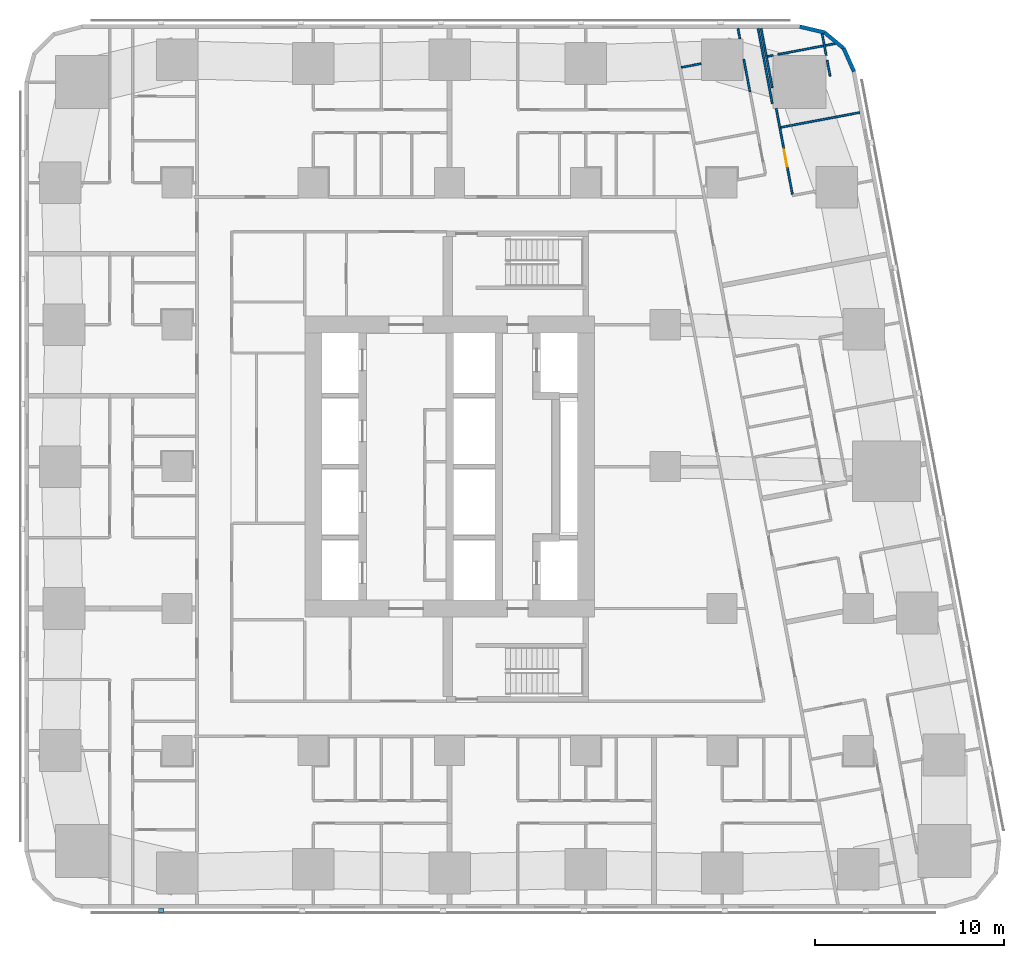
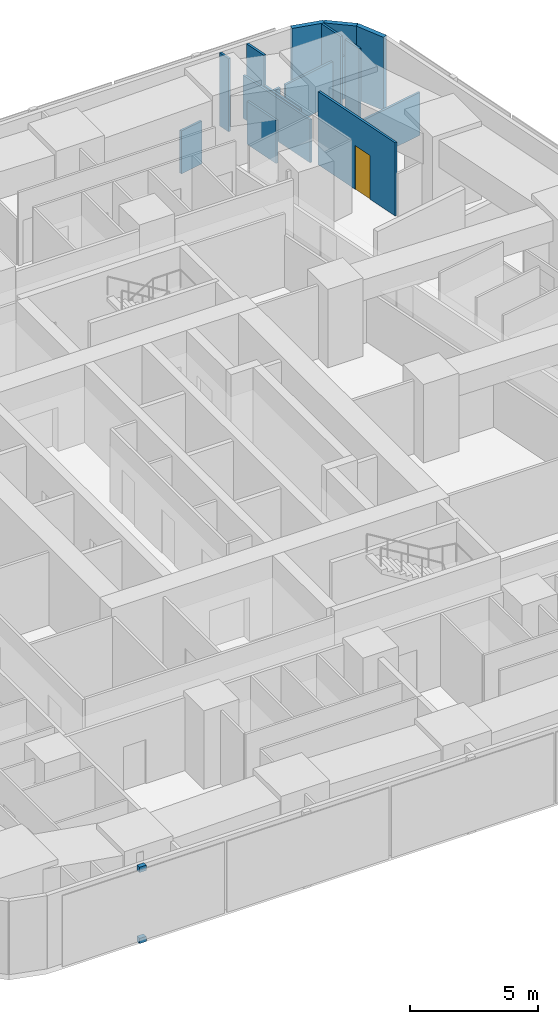
# One storey, part 10 of 15: 15 walls, 2 discrete accessories, 1 door, 1 opening.
"""IFC4 building model written with IfcOpenShell, lengths in metres."""

from ifc_helpers import new_model, si_unit, direction, frame, frame_2d, origin, origin_2d, place, context, subcontext, project, spatial, rectangle, extrude, material, layer, layer_set, type_object, element, fill, save


model = new_model("IFC4")

# Units and contexts
model_context = context("Model", 3, precision=1e-05, world=origin(), true_north=direction((0.0, 1.0)))
body_context = subcontext(model_context, "Body", "Model", "MODEL_VIEW")
ifc_project = project(units=[si_unit("LENGTHUNIT", "METRE"), si_unit("AREAUNIT", "SQUARE_METRE"), si_unit("VOLUMEUNIT", "CUBIC_METRE"), si_unit("PLANEANGLEUNIT", "RADIAN"), si_unit("MASSUNIT", "GRAM", prefix="KILO")], contexts=[model_context])

# Site, building, storey
site_placement = place(None, origin())
site = spatial("IfcSite", under=ifc_project, at=site_placement, CompositionType="ELEMENT")
building_placement = place(site_placement, origin())
building = spatial("IfcBuilding", under=site, at=building_placement, Name="Sheger Commons Tower", CompositionType="ELEMENT")
storey_placement = place(building_placement, frame((0.0, 0.0, 104.14990234375)))
storey = spatial("IfcBuildingStorey", under=building, at=storey_placement, Name="L26", CompositionType="ELEMENT", Elevation=104.14990234375)

# Walls
ifc_material_1 = material(Name="Rendered concrete block masonry, dark grey", Category="masonry")
ifc_layer_1 = layer(ifc_material_1, 0.199951171875)
ifc_layer_set_1 = layer_set([ifc_layer_1], Name="FACADE WALL 200")
wall_type_1 = type_object("IfcWallType", Name="FACADE WALL 200", PredefinedType="SOLIDWALL", material=ifc_layer_set_1)
wall_1_placement = place(storey_placement, frame((42.969970703125, 43.376953125, 0.0), z_axis=(0.0, 0.0, 1.0), x_axis=(-0.406002956633, 0.913871762998, 0.0)))
element("IfcWall", 1, at=wall_1_placement, inside=storey, type_object=wall_type_1, Name="Facade wall L26", PredefinedType="SOLIDWALL", context=body_context, shape_type="SweptSolid", body=[
    extrude(rectangle(XDim=1.33740234375, YDim=0.199951171875, at=frame_2d((0.668701171875, 0.0))), origin(), (0.0, 0.0, 1.0), 3.5),
])
wall_2_placement = place(storey_placement, frame((42.427001953125, 44.59912109375, 0.0), z_axis=(0.0, 0.0, 1.0), x_axis=(-0.770091412544, 0.637933551655, 0.0)))
element("IfcWall", 2, at=wall_2_placement, inside=storey, type_object=wall_type_1, Name="Facade wall L26", PredefinedType="SOLIDWALL", context=body_context, shape_type="SweptSolid", body=[
    extrude(rectangle(XDim=1.324462890625, YDim=0.199951171875, at=frame_2d((0.662109375, 0.0))), origin(), (0.0, 0.0, 1.0), 3.5),
])
wall_3_placement = place(storey_placement, frame((41.406982421875, 45.444091796875, 0.0), z_axis=(0.0, 0.0, 1.0), x_axis=(-0.973453091607, 0.228886606077, 0.0)))
element("IfcWall", 3, at=wall_3_placement, inside=storey, type_object=wall_type_1, Name="Facade wall L26", PredefinedType="SOLIDWALL", context=body_context, shape_type="SweptSolid", body=[
    extrude(rectangle(XDim=1.33642578125, YDim=0.199951171875, at=frame_2d((0.668212890625, 0.0))), origin(), (0.0, 0.0, 1.0), 3.5),
])
ifc_material_2 = material(Name="Gypsum board on steel studs", Category="steel")
ifc_layer_2 = layer(ifc_material_2, 0.10009765625)
ifc_layer_set_2 = layer_set([ifc_layer_2], Name="PARTITION 100")
wall_type_2 = type_object("IfcWallType", Name="PARTITION 100", PredefinedType="PARTITIONING", material=ifc_layer_set_2)
wall_4_placement = place(storey_placement, frame((38.654052734375, 41.68603515625, 0.0), z_axis=(0.0, 0.0, 1.0), x_axis=(-0.185676896978, 0.982610853761, 0.0)))
element("IfcWall", 4, at=wall_4_placement, inside=storey, type_object=wall_type_2, Name="Partition L26", PredefinedType="PARTITIONING", context=body_context, shape_type="SweptSolid", body=[
    extrude(rectangle(XDim=4.033935546875, YDim=0.10009765625, at=frame_2d((2.01708984375, 0.0))), origin(), (0.0, 0.0, 1.0), 2.050048828125),
])
wall_5_placement = place(storey_placement, frame((41.287109375, 45.3701171875, 0.0), z_axis=(0.0, 0.0, 1.0), x_axis=(0.185121628323, -0.982715616405, 0.0)))
element("IfcWall", 5, at=wall_5_placement, inside=storey, type_object=wall_type_2, Name="Partition L26", PredefinedType="PARTITIONING", context=body_context, shape_type="SweptSolid", body=[
    extrude(rectangle(XDim=1.14990234375, YDim=0.10009765625, at=frame_2d((0.574951171875, 0.0))), origin(), (0.0, 0.0, 1.0), 3.5),
])
wall_6_placement = place(storey_placement, frame((41.551025390625, 43.968994140625, 0.0), z_axis=(0.0, 0.0, 1.0), x_axis=(0.185884171512, -0.982571663942, 0.0)))
element("IfcWall", 6, at=wall_6_placement, inside=storey, type_object=wall_type_2, Name="Partition L26", PredefinedType="PARTITIONING", context=body_context, shape_type="SweptSolid", body=[
    extrude(rectangle(XDim=0.849853515625, YDim=0.10009765625, at=frame_2d((0.4248046875, 0.0))), origin(), (0.0, 0.0, 1.0), 3.5),
])
wall_7_placement = place(storey_placement, frame((38.06298828125, 45.64990234375, 0.0), z_axis=(0.0, 0.0, 1.0), x_axis=(0.185677287841, -0.982610779902, 0.0)))
element("IfcWall", 7, at=wall_7_placement, inside=storey, type_object=wall_type_2, Name="Partition L26", PredefinedType="PARTITIONING", context=body_context, shape_type="SweptSolid", body=[
    extrude(rectangle(XDim=1.0400390625, YDim=0.10009765625, at=frame_2d((0.52001953125, 0.0))), origin(), (0.0, 0.0, 1.0), 3.5),
])
wall_8_placement = place(storey_placement, frame((38.256103515625, 44.6279296875, 0.0), z_axis=(0.0, 0.0, 1.0), x_axis=(0.185674153532, -0.982611372166, 0.0)))
element("IfcWall", 8, at=wall_8_placement, inside=storey, type_object=wall_type_2, Name="Partition L26", PredefinedType="PARTITIONING", context=body_context, shape_type="SweptSolid", body=[
    extrude(rectangle(XDim=2.137939453125, YDim=0.10009765625, at=frame_2d((1.06884765625, 0.0))), origin(), (0.0, 0.0, 1.0), 2.050048828125),
])

# Wall, opening, door
wall_9_placement = place(storey_placement, frame((38.862060546875, 41.419921875, 0.0), z_axis=(0.0, 0.0, 1.0), x_axis=(0.185332907641, -0.982675792592, 0.0)))
wall_9 = element("IfcWall", 9, at=wall_9_placement, inside=storey, type_object=wall_type_2, Name="Partition L26", PredefinedType="PARTITIONING", context=body_context, shape_type="SweptSolid", body=[
    extrude(rectangle(XDim=4.62890625, YDim=0.10009765625, at=frame_2d((2.314453125, 0.0))), origin(), (0.0, 0.0, 1.0), 3.5),
])
opening_placement = place(wall_9_placement, frame((2.219970703125, 0.0, 0.0)))
opening = element("IfcOpeningElement", 10, at=opening_placement, cuts=wall_9, Name="Opening D2", PredefinedType="OPENING", context=body_context, shape_type="SweptSolid", body=[
    extrude(rectangle(XDim=0.89990234375, YDim=2.10009765625, at=frame_2d((0.449951171875, 1.050048828125))), frame((0.0, 0.06005859375, 0.0), z_axis=(0.0, -1.0, 0.0), x_axis=(1.0, 0.0, 0.0)), (0.0, 0.0, 1.0), 0.1201171875),
])
ifc_material_3 = material(Name="Timber door set", Category="wood")
door_type = type_object("IfcDoorType", Name="INTERNAL DOOR 900x2100", OperationType="NOTDEFINED", PredefinedType="DOOR", material=ifc_material_3)
door_placement = place(opening_placement, origin())
door = element("IfcDoor", 11, at=door_placement, inside=storey, type_object=door_type, Name="Main bedroom door", OperationType="SINGLE_SWING_LEFT", OverallHeight=2.10009765625, OverallWidth=0.89990234375, PredefinedType="DOOR", context=body_context, shape_type="SweptSolid", body=[
    extrude(rectangle(XDim=0.89990234375, YDim=2.10009765625, at=frame_2d((0.449951171875, 1.050048828125))), frame((0.0, 0.02490234375, 0.0), z_axis=(0.0, -1.0, 0.0), x_axis=(1.0, 0.0, 0.0)), (0.0, 0.0, 1.0), 0.050048828125),
])
fill(opening, door)

# Walls
wall_10_placement = place(storey_placement, frame((36.841064453125, 45.64990234375, 0.0), z_axis=(0.0, 0.0, 1.0), x_axis=(0.185764109712, -0.98259436979, 0.0)))
element("IfcWall", 12, at=wall_10_placement, inside=storey, type_object=wall_type_2, Name="Partition L26", PredefinedType="PARTITIONING", context=body_context, shape_type="SweptSolid", body=[
    extrude(rectangle(XDim=0.54931640625, YDim=0.10009765625, at=frame_2d((0.274658203125, 0.0))), origin(), (0.0, 0.0, 1.0), 3.5),
])
wall_11_placement = place(storey_placement, frame((37.14892578125, 44.01806640625, 0.0), z_axis=(0.0, 0.0, 1.0), x_axis=(0.185712190756, -0.982604183893, 0.0)))
element("IfcWall", 13, at=wall_11_placement, inside=storey, type_object=wall_type_2, Name="Partition L26", PredefinedType="PARTITIONING", context=body_context, shape_type="SweptSolid", body=[
    extrude(rectangle(XDim=1.7392578125, YDim=0.10009765625, at=frame_2d((0.86962890625, 0.0))), origin(), (0.0, 0.0, 1.0), 2.050048828125),
])
wall_12_placement = place(storey_placement, frame((41.968017578125, 44.85009765625, 0.0), z_axis=(0.0, 0.0, 1.0), x_axis=(-0.982566714195, -0.185910333644, 0.0)))
element("IfcWall", 14, at=wall_12_placement, inside=storey, type_object=wall_type_2, Name="Partition L26", PredefinedType="PARTITIONING", context=body_context, shape_type="SweptSolid", body=[
    extrude(rectangle(XDim=3.071533203125, YDim=0.10009765625, at=frame_2d((1.53564453125, 0.0))), origin(), (0.0, 0.0, 1.0), 2.050048828125),
])
wall_13_placement = place(storey_placement, frame((38.69189453125, 44.22998046875, 0.0), z_axis=(0.0, 0.0, 1.0), x_axis=(-0.982944840311, -0.183900627803, 0.0)))
element("IfcWall", 15, at=wall_13_placement, inside=storey, type_object=wall_type_2, Name="Partition L26", PredefinedType="PARTITIONING", context=body_context, shape_type="SweptSolid", body=[
    extrude(rectangle(XDim=0.303955078125, YDim=0.10009765625, at=frame_2d((0.15185546875, 0.0))), origin(), (0.0, 0.0, 1.0), 2.050048828125),
])
wall_14_placement = place(storey_placement, frame((43.277099609375, 41.2119140625, 0.0), z_axis=(0.0, 0.0, 1.0), x_axis=(-0.982665405803, -0.185387972203, 0.0)))
element("IfcWall", 16, at=wall_14_placement, inside=storey, type_object=wall_type_2, Name="Partition L26", PredefinedType="PARTITIONING", context=body_context, shape_type="SweptSolid", body=[
    extrude(rectangle(XDim=4.249755859375, YDim=0.10009765625, at=frame_2d((2.125, 0.0))), origin(), (0.0, 0.0, 1.0), 2.050048828125),
])
wall_15_placement = place(storey_placement, frame((34.889892578125, 43.791015625, 0.0), z_axis=(0.0, 0.0, 1.0), x_axis=(-0.982621304855, -0.185621580763, 0.0)))
element("IfcWall", 17, at=wall_15_placement, inside=storey, type_object=wall_type_2, Name="Partition L26", PredefinedType="PARTITIONING", context=body_context, shape_type="SweptSolid", body=[
    extrude(rectangle(XDim=1.0615234375, YDim=0.10009765625, at=frame_2d((0.53076171875, 0.0))), origin(), (0.0, 0.0, 1.0), 2.050048828125),
])

# Discrete accessories
ifc_material_4 = material(Name="Black painted steel bracket", Category="steel")
discrete_accessory_type = type_object("IfcDiscreteAccessoryType", Name="SCREEN BRACKET 300x200x250", PredefinedType="BRACKET", material=ifc_material_4)
for number, where, z_axis, x_axis, name in (
    (18, (6.37109375, -0.949951171875, -0.099853515625), (0.0, 0.0, 1.0), (1.0, 0.0, 0.0), "Solar screen foot bracket"),
    (19, (6.37109375, -0.949951171875, 3.300048828125), (0.0, 0.0, 1.0), (1.0, 0.0, 0.0), "Solar screen head bracket"),
):
    element("IfcDiscreteAccessory", number, at=place(storey_placement, frame(where, z_axis=z_axis, x_axis=x_axis)), inside=storey, type_object=discrete_accessory_type, Name=name, PredefinedType="BRACKET", context=body_context, shape_type="SweptSolid", body=[
        extrude(rectangle(XDim=0.300048828125, YDim=0.199951171875, at=origin_2d()), origin(), (0.0, 0.0, 1.0), 0.25),
    ])

save(model, "model.ifc")
